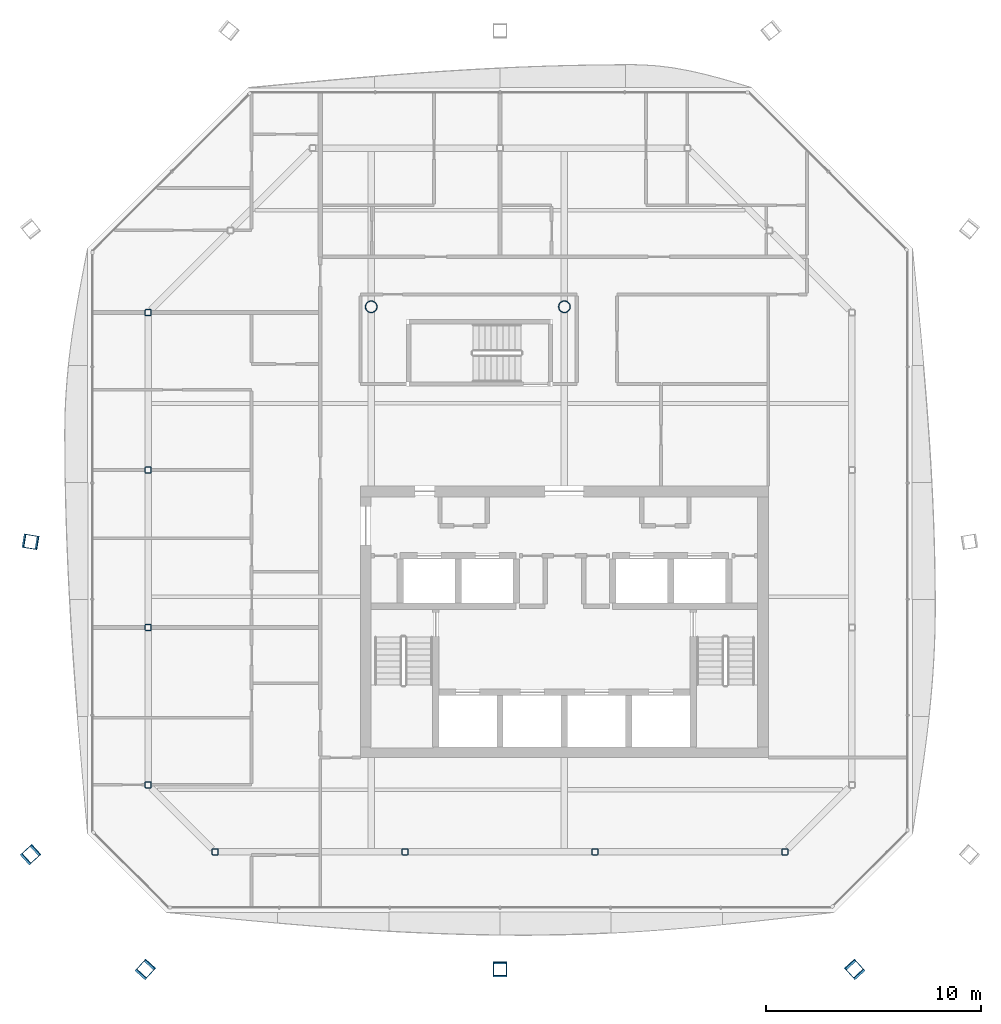
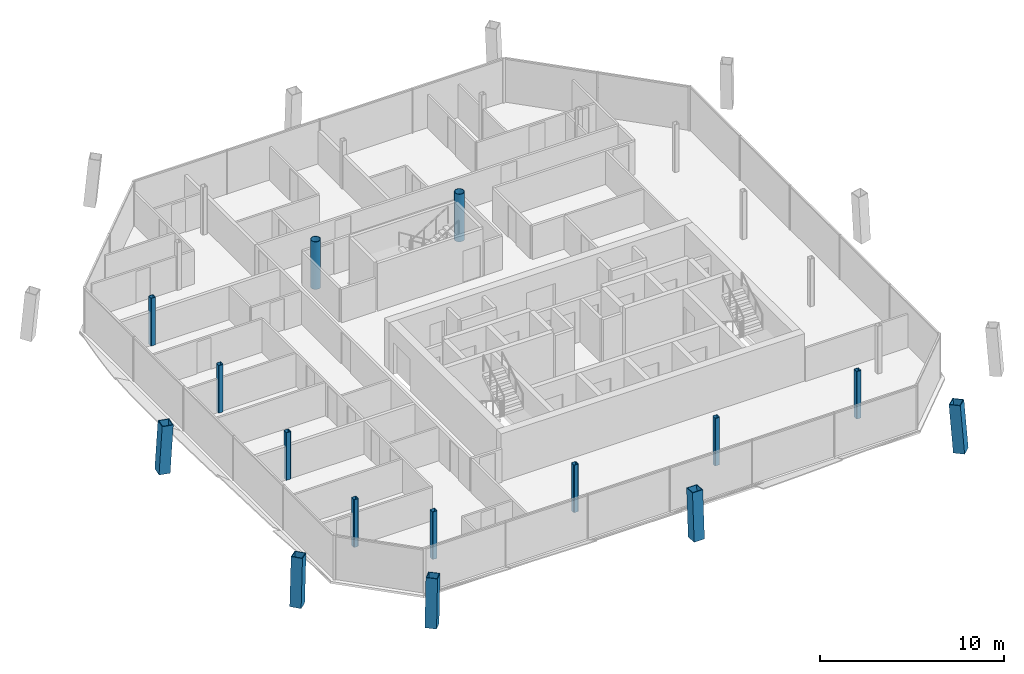
# One storey, part 1 of 18: 15 columns.
"""IFC4 building model written with IfcOpenShell, lengths in metres."""

from ifc_helpers import new_model, si_unit, direction, frame, origin, origin_2d, place, context, subcontext, project, spatial, hollow_rectangle, hollow_circle, extrude, material, material_profile, profile_set, type_object, element, save


model = new_model("IFC4")

# Units and contexts
model_context = context("Model", 3, precision=1e-05, world=origin(), true_north=direction((0.0, 1.0)))
body_context = subcontext(model_context, "Body", "Model", "MODEL_VIEW")
ifc_project = project(units=[si_unit("LENGTHUNIT", "METRE"), si_unit("AREAUNIT", "SQUARE_METRE"), si_unit("VOLUMEUNIT", "CUBIC_METRE"), si_unit("PLANEANGLEUNIT", "RADIAN"), si_unit("MASSUNIT", "GRAM", prefix="KILO")], contexts=[model_context])

# Site, building, storey
site_placement = place(None, origin())
site = spatial("IfcSite", under=ifc_project, at=site_placement, CompositionType="ELEMENT")
building_placement = place(site_placement, origin())
building = spatial("IfcBuilding", under=site, at=building_placement, Name="Tskaro Facet Tower", CompositionType="ELEMENT")
storey_placement = place(building_placement, frame((0.0, 0.0, 220.35009765625)))
storey = spatial("IfcBuildingStorey", under=building, at=storey_placement, Name="L56", CompositionType="ELEMENT", Elevation=220.35009765625)

# Columns
ifc_material_1 = material(Name="Steel S355J2", Category="steel")
ifc_material_profile_1 = material_profile(ifc_material_1, hollow_rectangle(XDim=0.64990234375, YDim=0.64990234375, WallThickness=0.0400390625, at=origin_2d()), Name="BOX 650x650x40")
ifc_profile_set_1 = profile_set([ifc_material_profile_1], Name="Steel S355J2")
column_type_1 = type_object("IfcColumnType", Name="BOX 650x650x40 mega column", PredefinedType="COLUMN", material=ifc_profile_set_1)
column_1_placement = place(storey_placement, frame((-19.552978515625, -21.902099609375, 0.0), z_axis=(0.05254443934, 0.057644340806, 0.996953465247), x_axis=(-0.739042878551, 0.673658387955, 0.0)))
element("IfcColumn", 1, at=column_1_placement, inside=storey, type_object=column_type_1, Name="BOX 650x650x40 MC01/5", PredefinedType="COLUMN", context=body_context, shape_type="SweptSolid", body=[
    extrude(hollow_rectangle(XDim=0.64990234375, YDim=0.64990234375, WallThickness=0.0400390625, at=origin_2d()), origin(), (0.0, 0.0, 1.0), 3.159423828125),
])
column_2_placement = place(storey_placement, frame((-3.0, -21.902099609375, 0.0), z_axis=(0.0, 0.057724081614, 0.998332575048), x_axis=(-1.0, 0.0, 0.0)))
element("IfcColumn", 2, at=column_2_placement, inside=storey, type_object=column_type_1, Name="BOX 650x650x40 MC02/5", PredefinedType="COLUMN", context=body_context, shape_type="SweptSolid", body=[
    extrude(hollow_rectangle(XDim=0.64990234375, YDim=0.64990234375, WallThickness=0.0400390625, at=origin_2d()), origin(), (0.0, 0.0, 1.0), 3.1552734375),
])
column_3_placement = place(storey_placement, frame((13.552978515625, -21.902099609375, 0.0), z_axis=(-0.05254443934, 0.057644340806, 0.996953465247), x_axis=(-0.739042878551, -0.673658387955, 0.0)))
element("IfcColumn", 3, at=column_3_placement, inside=storey, type_object=column_type_1, Name="BOX 650x650x40 MC03/5", PredefinedType="COLUMN", context=body_context, shape_type="SweptSolid", body=[
    extrude(hollow_rectangle(XDim=0.64990234375, YDim=0.64990234375, WallThickness=0.0400390625, at=origin_2d()), origin(), (0.0, 0.0, 1.0), 3.159423828125),
])
column_4_placement = place(storey_placement, frame((-24.902099609375, -1.943115234375, 0.0), z_axis=(0.057721509714, -0.009439710704, 0.998288094278), x_axis=(0.161394864897, 0.986889911583, 0.0)))
element("IfcColumn", 4, at=column_4_placement, inside=storey, type_object=column_type_1, Name="BOX 650x650x40 MC11/5", PredefinedType="COLUMN", context=body_context, shape_type="SweptSolid", body=[
    extrude(hollow_rectangle(XDim=0.64990234375, YDim=0.64990234375, WallThickness=0.0400390625, at=origin_2d()), origin(), (0.0, 0.0, 1.0), 3.1552734375),
])
column_5_placement = place(storey_placement, frame((-24.902099609375, -16.552978515625, 0.0), z_axis=(0.057644340806, 0.05254443934, 0.996953465247), x_axis=(-0.673658387955, 0.739042878551, 0.0)))
element("IfcColumn", 5, at=column_5_placement, inside=storey, type_object=column_type_1, Name="BOX 650x650x40 MC12/5", PredefinedType="COLUMN", context=body_context, shape_type="SweptSolid", body=[
    extrude(hollow_rectangle(XDim=0.64990234375, YDim=0.64990234375, WallThickness=0.0400390625, at=origin_2d()), origin(), (0.0, 0.0, 1.0), 3.159423828125),
])
ifc_material_2 = material(Name="Steel S355J2H", Category="steel")
ifc_material_profile_2 = material_profile(ifc_material_2, hollow_circle(Radius=0.279541015625, WallThickness=0.02490234375, at=origin_2d()), Name="CHS 559x25")
ifc_profile_set_2 = profile_set([ifc_material_profile_2], Name="Steel S355J2H")
column_type_2 = type_object("IfcColumnType", Name="CHS 559x25 interior column", PredefinedType="COLUMN", material=ifc_profile_set_2)
for number, where, z_axis, x_axis, name in (
    (6, (-9.0, 9.0, 0.0), (0.0, 0.0, 1.0), (1.0, 0.0, 0.0), "CHS 559x25 C3E/5"),
    (7, (0.0, 9.0, 0.0), (0.0, 0.0, 1.0), (1.0, 0.0, 0.0), "CHS 559x25 C4E/5"),
):
    element("IfcColumn", number, at=place(storey_placement, frame(where, z_axis=z_axis, x_axis=x_axis)), inside=storey, type_object=column_type_2, Name=name, PredefinedType="COLUMN", context=body_context, shape_type="SweptSolid", body=[
        extrude(hollow_circle(Radius=0.279541015625, WallThickness=0.02490234375, at=origin_2d()), origin(), (0.0, 0.0, 1.0), 3.14990234375),
    ])
ifc_material_profile_3 = material_profile(ifc_material_2, hollow_rectangle(XDim=0.300048828125, YDim=0.300048828125, WallThickness=0.02001953125, InnerFilletRadius=0.030029296875, OuterFilletRadius=0.050048828125, at=origin_2d()), Name="SHS 300x300x20")
ifc_profile_set_3 = profile_set([ifc_material_profile_3], Name="Steel S355J2H")
column_type_3 = type_object("IfcColumnType", Name="SHS 300x300x20 ring column", PredefinedType="COLUMN", material=ifc_profile_set_3)
for number, where, z_axis, x_axis, name in (
    (8, (-16.26806640625, -16.39111328125, 0.0), (0.0, 0.0, 1.0), (1.0, 0.0, 0.0), "SHS 300x300x20 RS-1/5"),
    (9, (-7.423095703125, -16.39111328125, 0.0), (0.0, 0.0, 1.0), (1.0, 0.0, 0.0), "SHS 300x300x20 RS-2/5"),
    (10, (1.423095703125, -16.39111328125, 0.0), (0.0, 0.0, 1.0), (1.0, 0.0, 0.0), "SHS 300x300x20 RS-3/5"),
    (11, (10.26806640625, -16.39111328125, 0.0), (0.0, 0.0, 1.0), (1.0, 0.0, 0.0), "SHS 300x300x20 RSE-1/5"),
    (12, (-19.39111328125, 8.72509765625, 0.0), (0.0, 0.0, 1.0), (1.0, 0.0, 0.0), "SHS 300x300x20 RW-1/5"),
    (13, (-19.39111328125, 1.39404296875, 0.0), (0.0, 0.0, 1.0), (1.0, 0.0, 0.0), "SHS 300x300x20 RW-2/5"),
    (14, (-19.39111328125, -5.93701171875, 0.0), (0.0, 0.0, 1.0), (1.0, 0.0, 0.0), "SHS 300x300x20 RW-3/5"),
    (15, (-19.39111328125, -13.26806640625, 0.0), (0.0, 0.0, 1.0), (1.0, 0.0, 0.0), "SHS 300x300x20 RSW-1/5"),
):
    element("IfcColumn", number, at=place(storey_placement, frame(where, z_axis=z_axis, x_axis=x_axis)), inside=storey, type_object=column_type_3, Name=name, PredefinedType="COLUMN", context=body_context, shape_type="SweptSolid", body=[
        extrude(hollow_rectangle(XDim=0.300048828125, YDim=0.300048828125, WallThickness=0.02001953125, InnerFilletRadius=0.030029296875, OuterFilletRadius=0.050048828125, at=origin_2d()), origin(), (0.0, 0.0, 1.0), 3.14990234375),
    ])

save(model, "model.ifc")
